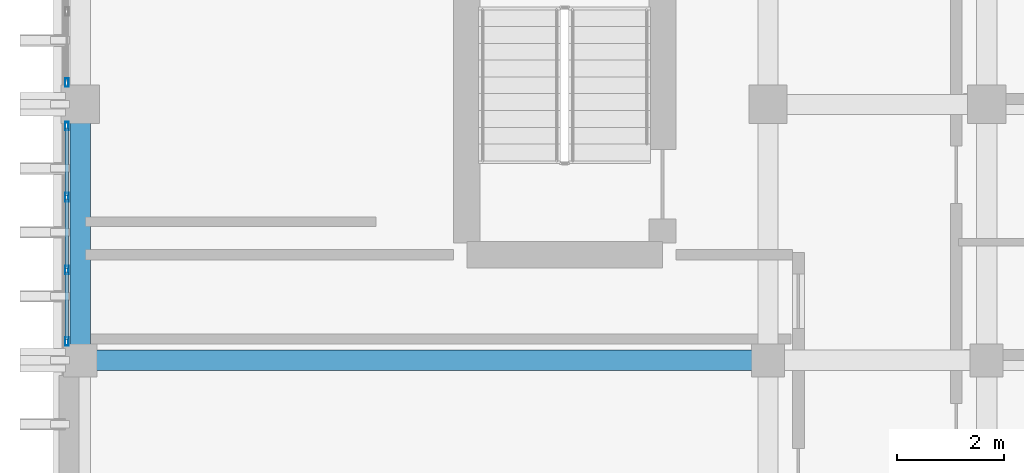
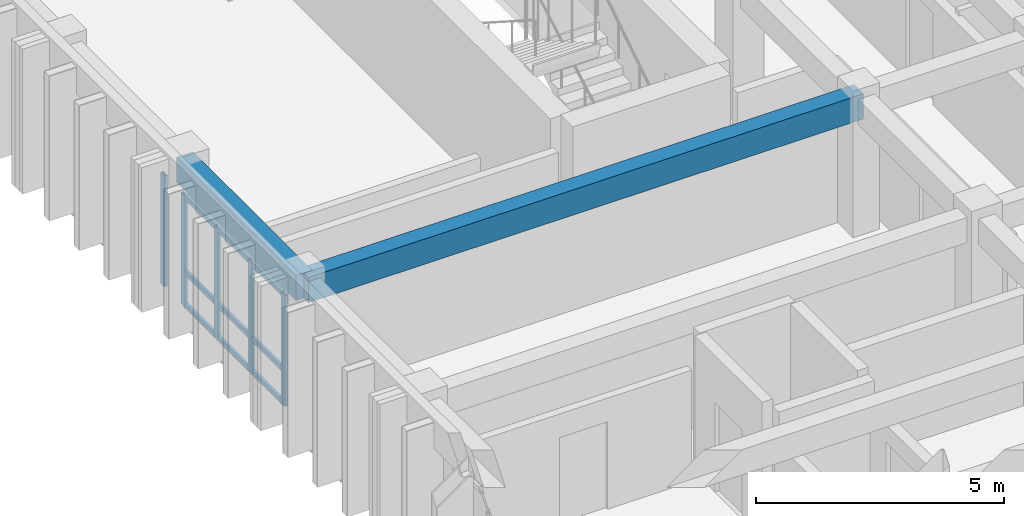
# One storey, part 27 of 59: 14 members, 2 beams, 2 elements without a shape of their own.
"""IFC4 building model written with IfcOpenShell, lengths in metres."""

from ifc_helpers import new_model, si_unit, direction, frame, origin, origin_2d, place, context, subcontext, project, spatial, rectangle, hollow_rectangle, extrude, material, layer, layer_set, material_profile, profile_set, type_object, element, aggregate, save


model = new_model("IFC4")

# Units and contexts
model_context = context("Model", 3, precision=1e-05, world=origin(), true_north=direction((0.0, 1.0)))
body_context = subcontext(model_context, "Body", "Model", "MODEL_VIEW")
ifc_project = project(units=[si_unit("LENGTHUNIT", "METRE"), si_unit("AREAUNIT", "SQUARE_METRE"), si_unit("VOLUMEUNIT", "CUBIC_METRE"), si_unit("PLANEANGLEUNIT", "RADIAN"), si_unit("MASSUNIT", "GRAM", prefix="KILO")], contexts=[model_context])

# Site, building, storey
site_placement = place(None, origin())
site = spatial("IfcSite", under=ifc_project, at=site_placement, CompositionType="ELEMENT")
building_placement = place(site_placement, origin())
building = spatial("IfcBuilding", under=site, at=building_placement, Name="Nakhvara Creek Congress Hotel", CompositionType="ELEMENT")
storey_placement = place(building_placement, frame((0.0, 0.0, 31.800048828125)))
storey = spatial("IfcBuildingStorey", under=building, at=storey_placement, Name="L07", CompositionType="ELEMENT", Elevation=31.800048828125)

# Beams
ifc_material_1 = material(Name="Concrete C40/50", Category="concrete")
ifc_material_profile_1 = material_profile(ifc_material_1, rectangle(XDim=0.3798828125, YDim=0.6201171875, at=origin_2d()), Name="RC-BM 380x620", Category="LoadBearing")
ifc_profile_set_1 = profile_set([ifc_material_profile_1], Name="Concrete C40/50")
beam_type = type_object("IfcBeamType", Name="BM-RC-380X620", PredefinedType="BEAM", material=ifc_profile_set_1)
beam_1_placement = place(storey_placement, frame((149.449951171875, 100.800048828125, 3.050048828125), z_axis=(0.0, 1.0, 0.0), x_axis=(-1.0, 0.0, 0.0)))
element("IfcBeam", 1, at=beam_1_placement, inside=storey, type_object=beam_type, Name="Beam B10-L07-2334", PredefinedType="BEAM", context=body_context, shape_type="SweptSolid", body=[
    extrude(rectangle(XDim=0.3798828125, YDim=0.6201171875, at=origin_2d()), origin(), (0.0, 0.0, 1.0), 4.800048828125),
])
beam_2_placement = place(storey_placement, frame((149.449951171875, 100.800048828125, 3.050048828125), z_axis=(1.0, 0.0, 0.0), x_axis=(0.0, 1.0, 0.0)))
element("IfcBeam", 2, at=beam_2_placement, inside=storey, type_object=beam_type, Name="Beam B10-L07-2411", PredefinedType="BEAM", context=body_context, shape_type="SweptSolid", body=[
    extrude(rectangle(XDim=0.3798828125, YDim=0.6201171875, at=origin_2d()), origin(), (0.0, 0.0, 1.0), 12.900146484375),
])

# Curtain wall, members
ifc_material_2 = material(Name="Bronze-anodised aluminium AW-6063-T6 and double-silver low-E glass", Category="aluminium")
ifc_layer = layer(ifc_material_2, 0.199951171875)
ifc_layer_set = layer_set([ifc_layer], Name="Bronze-anodised aluminium AW-6063-T6 and double-silver low-E glass")
curtain_wall_type = type_object("IfcCurtainWallType", Name="CW-HTL-UNIT", PredefinedType="USERDEFINED", material=ifc_layer_set)
curtain_wall_1_placement = place(storey_placement, origin())
curtain_wall_1 = element("IfcCurtainWall", 3, at=curtain_wall_1_placement, inside=storey, type_object=curtain_wall_type, Name="Curtain Wall CW268", ObjectType="UNITISED", PredefinedType="USERDEFINED")
ifc_material_3 = material(Name="Bronze-anodised aluminium AW-6063-T6", Category="aluminium")
ifc_material_profile_2 = material_profile(ifc_material_3, hollow_rectangle(XDim=0.06494140625, YDim=0.159912109375, WallThickness=0.00390625, at=origin_2d()), Name="ALU-MULL 65x160x4", Category="LoadBearing")
ifc_profile_set_2 = profile_set([ifc_material_profile_2], Name="Bronze-anodised aluminium AW-6063-T6")
member_type_1 = type_object("IfcMemberType", Name="CW-MULL-160", PredefinedType="MULLION", material=ifc_profile_set_2)
member_1_placement = place(storey_placement, frame((149.199951171875, 101.157470703125, 0.0), z_axis=(0.0, 0.0, 1.0), x_axis=(-1.0, 0.0, 0.0)))
member_1 = element("IfcMember", 4, at=member_1_placement, type_object=member_type_1, Name="CW268 mullion 1", PredefinedType="MULLION", context=body_context, shape_type="SweptSolid", body=[
    extrude(hollow_rectangle(XDim=0.06494140625, YDim=0.159912109375, WallThickness=0.00390625, at=origin_2d()), origin(), (0.0, 0.0, 1.0), 2.73193359375),
])
member_2_placement = place(storey_placement, frame((149.199951171875, 102.49169921875, 0.0), z_axis=(0.0, 0.0, 1.0), x_axis=(-1.0, 0.0, 0.0)))
member_2 = element("IfcMember", 5, at=member_2_placement, type_object=member_type_1, Name="CW268 mullion 2", PredefinedType="MULLION", context=body_context, shape_type="SweptSolid", body=[
    extrude(hollow_rectangle(XDim=0.06494140625, YDim=0.159912109375, WallThickness=0.00390625, at=origin_2d()), origin(), (0.0, 0.0, 1.0), 2.73193359375),
])
member_3_placement = place(storey_placement, frame((149.199951171875, 103.8583984375, 0.0), z_axis=(0.0, 0.0, 1.0), x_axis=(-1.0, 0.0, 0.0)))
member_3 = element("IfcMember", 6, at=member_3_placement, type_object=member_type_1, Name="CW268 mullion 3", PredefinedType="MULLION", context=body_context, shape_type="SweptSolid", body=[
    extrude(hollow_rectangle(XDim=0.06494140625, YDim=0.159912109375, WallThickness=0.00390625, at=origin_2d()), origin(), (0.0, 0.0, 1.0), 2.73193359375),
])
member_4_placement = place(storey_placement, frame((149.199951171875, 105.1923828125, 0.0), z_axis=(0.0, 0.0, 1.0), x_axis=(-1.0, 0.0, 0.0)))
member_4 = element("IfcMember", 7, at=member_4_placement, type_object=member_type_1, Name="CW268 mullion 4", PredefinedType="MULLION", context=body_context, shape_type="SweptSolid", body=[
    extrude(hollow_rectangle(XDim=0.06494140625, YDim=0.159912109375, WallThickness=0.00390625, at=origin_2d()), origin(), (0.0, 0.0, 1.0), 2.73193359375),
])

# Curtain wall, member
curtain_wall_2_placement = place(storey_placement, origin())
curtain_wall_2 = element("IfcCurtainWall", 8, at=curtain_wall_2_placement, inside=storey, type_object=curtain_wall_type, Name="Curtain Wall CW270", ObjectType="UNITISED", PredefinedType="USERDEFINED")
member_5_placement = place(storey_placement, frame((149.199951171875, 106.007568359375, 0.0), z_axis=(0.0, 0.0, 1.0), x_axis=(-1.0, 0.0, 0.0)))
member_5 = element("IfcMember", 9, at=member_5_placement, type_object=member_type_1, Name="CW270 mullion 1", PredefinedType="MULLION", context=body_context, shape_type="SweptSolid", body=[
    extrude(hollow_rectangle(XDim=0.06494140625, YDim=0.159912109375, WallThickness=0.00390625, at=origin_2d()), origin(), (0.0, 0.0, 1.0), 2.73193359375),
])
aggregate(curtain_wall_2, [member_5])

# Member
ifc_material_profile_3 = material_profile(ifc_material_3, hollow_rectangle(XDim=0.06494140625, YDim=0.1201171875, WallThickness=0.00390625, at=origin_2d()), Name="ALU-TRAN 65x120x4", Category="LoadBearing")
ifc_profile_set_3 = profile_set([ifc_material_profile_3], Name="Bronze-anodised aluminium AW-6063-T6")
member_type_2 = type_object("IfcMemberType", Name="CW-TRAN-120", PredefinedType="USERDEFINED", material=ifc_profile_set_3)
member_6_placement = place(storey_placement, frame((149.199951171875, 101.18994140625, 0.032470703125), z_axis=(0.0, 1.0, 0.0), x_axis=(-1.0, 0.0, 0.0)))
member_6 = element("IfcMember", 10, at=member_6_placement, type_object=member_type_2, Name="CW268 transom 1.1", ObjectType="TRANSOM", PredefinedType="USERDEFINED", context=body_context, shape_type="SweptSolid", body=[
    extrude(hollow_rectangle(XDim=0.06494140625, YDim=0.1201171875, WallThickness=0.00390625, at=origin_2d()), origin(), (0.0, 0.0, 1.0), 1.269287109375),
])

member_7_placement = place(storey_placement, frame((149.199951171875, 101.18994140625, 0.849853515625), z_axis=(0.0, 1.0, 0.0), x_axis=(-1.0, 0.0, 0.0)))
member_7 = element("IfcMember", 11, at=member_7_placement, type_object=member_type_2, Name="CW268 transom 1.2", ObjectType="TRANSOM", PredefinedType="USERDEFINED", context=body_context, shape_type="SweptSolid", body=[
    extrude(hollow_rectangle(XDim=0.06494140625, YDim=0.1201171875, WallThickness=0.00390625, at=origin_2d()), origin(), (0.0, 0.0, 1.0), 1.269287109375),
])

member_8_placement = place(storey_placement, frame((149.199951171875, 101.18994140625, 2.699462890625), z_axis=(0.0, 1.0, 0.0), x_axis=(-1.0, 0.0, 0.0)))
member_8 = element("IfcMember", 12, at=member_8_placement, type_object=member_type_2, Name="CW268 transom 1.3", ObjectType="TRANSOM", PredefinedType="USERDEFINED", context=body_context, shape_type="SweptSolid", body=[
    extrude(hollow_rectangle(XDim=0.06494140625, YDim=0.1201171875, WallThickness=0.00390625, at=origin_2d()), origin(), (0.0, 0.0, 1.0), 1.269287109375),
])

member_9_placement = place(storey_placement, frame((149.199951171875, 102.524169921875, 0.032470703125), z_axis=(0.0, 1.0, 0.0), x_axis=(-1.0, 0.0, 0.0)))
member_9 = element("IfcMember", 13, at=member_9_placement, type_object=member_type_2, Name="CW268 transom 2.1", ObjectType="TRANSOM", PredefinedType="USERDEFINED", context=body_context, shape_type="SweptSolid", body=[
    extrude(hollow_rectangle(XDim=0.06494140625, YDim=0.1201171875, WallThickness=0.00390625, at=origin_2d()), origin(), (0.0, 0.0, 1.0), 1.3017578125),
])

member_10_placement = place(storey_placement, frame((149.199951171875, 102.524169921875, 0.849853515625), z_axis=(0.0, 1.0, 0.0), x_axis=(-1.0, 0.0, 0.0)))
member_10 = element("IfcMember", 14, at=member_10_placement, type_object=member_type_2, Name="CW268 transom 2.2", ObjectType="TRANSOM", PredefinedType="USERDEFINED", context=body_context, shape_type="SweptSolid", body=[
    extrude(hollow_rectangle(XDim=0.06494140625, YDim=0.1201171875, WallThickness=0.00390625, at=origin_2d()), origin(), (0.0, 0.0, 1.0), 1.3017578125),
])

member_11_placement = place(storey_placement, frame((149.199951171875, 102.524169921875, 2.699462890625), z_axis=(0.0, 1.0, 0.0), x_axis=(-1.0, 0.0, 0.0)))
member_11 = element("IfcMember", 15, at=member_11_placement, type_object=member_type_2, Name="CW268 transom 2.3", ObjectType="TRANSOM", PredefinedType="USERDEFINED", context=body_context, shape_type="SweptSolid", body=[
    extrude(hollow_rectangle(XDim=0.06494140625, YDim=0.1201171875, WallThickness=0.00390625, at=origin_2d()), origin(), (0.0, 0.0, 1.0), 1.3017578125),
])

member_12_placement = place(storey_placement, frame((149.199951171875, 103.890869140625, 0.032470703125), z_axis=(0.0, 1.0, 0.0), x_axis=(-1.0, 0.0, 0.0)))
member_12 = element("IfcMember", 16, at=member_12_placement, type_object=member_type_2, Name="CW268 transom 3.1", ObjectType="TRANSOM", PredefinedType="USERDEFINED", context=body_context, shape_type="SweptSolid", body=[
    extrude(hollow_rectangle(XDim=0.06494140625, YDim=0.1201171875, WallThickness=0.00390625, at=origin_2d()), origin(), (0.0, 0.0, 1.0), 1.26904296875),
])

member_13_placement = place(storey_placement, frame((149.199951171875, 103.890869140625, 0.849853515625), z_axis=(0.0, 1.0, 0.0), x_axis=(-1.0, 0.0, 0.0)))
member_13 = element("IfcMember", 17, at=member_13_placement, type_object=member_type_2, Name="CW268 transom 3.2", ObjectType="TRANSOM", PredefinedType="USERDEFINED", context=body_context, shape_type="SweptSolid", body=[
    extrude(hollow_rectangle(XDim=0.06494140625, YDim=0.1201171875, WallThickness=0.00390625, at=origin_2d()), origin(), (0.0, 0.0, 1.0), 1.26904296875),
])

member_14_placement = place(storey_placement, frame((149.199951171875, 103.890869140625, 2.699462890625), z_axis=(0.0, 1.0, 0.0), x_axis=(-1.0, 0.0, 0.0)))
member_14 = element("IfcMember", 18, at=member_14_placement, type_object=member_type_2, Name="CW268 transom 3.3", ObjectType="TRANSOM", PredefinedType="USERDEFINED", context=body_context, shape_type="SweptSolid", body=[
    extrude(hollow_rectangle(XDim=0.06494140625, YDim=0.1201171875, WallThickness=0.00390625, at=origin_2d()), origin(), (0.0, 0.0, 1.0), 1.26904296875),
])

aggregate(curtain_wall_1, [member_1, member_2, member_3, member_4, member_6, member_7, member_8, member_9, member_10, member_11, member_12, member_13, member_14])

save(model, "model.ifc")
